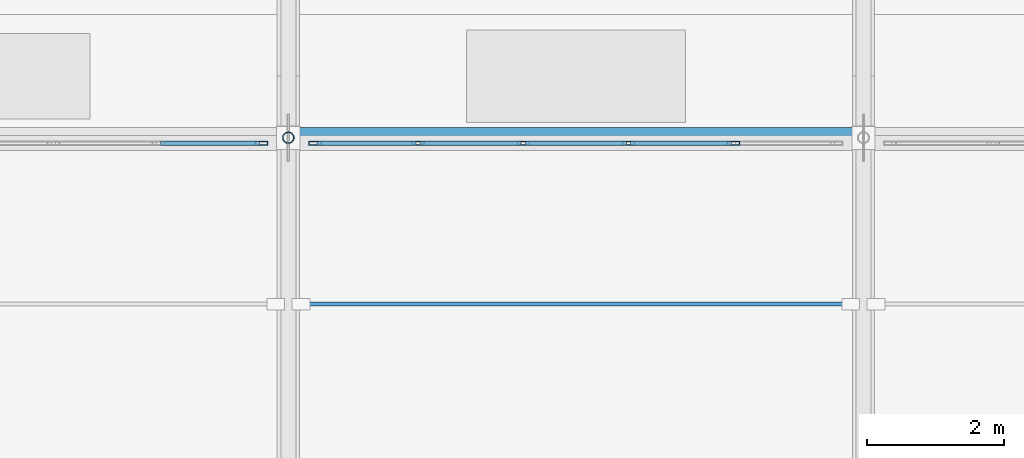
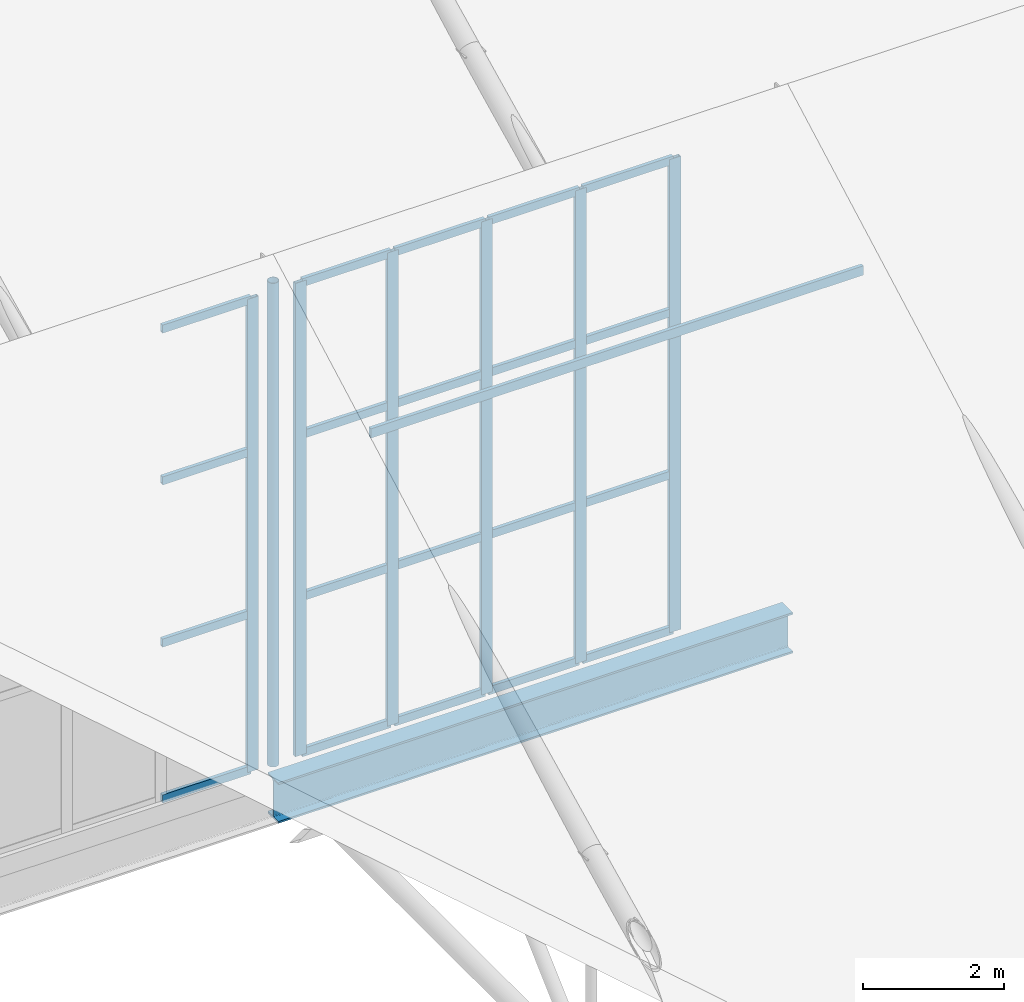
# One storey, part 8 of 38: 28 members, 1 beam, 2 elements without a shape of their own.
"""IFC4 building model written with IfcOpenShell, lengths in metres."""

from ifc_helpers import new_model, si_unit, direction, frame, origin, origin_2d, place, context, subcontext, project, spatial, hollow_rectangle, hollow_circle, i_section, extrude, material, material_profile, profile_set, type_object, element, aggregate, save


model = new_model("IFC4")

# Units and contexts
model_context = context("Model", 3, precision=1e-05, world=origin(), true_north=direction((0.0, 1.0)))
body_context = subcontext(model_context, "Body", "Model", "MODEL_VIEW")
ifc_project = project(units=[si_unit("LENGTHUNIT", "METRE"), si_unit("AREAUNIT", "SQUARE_METRE"), si_unit("VOLUMEUNIT", "CUBIC_METRE"), si_unit("PLANEANGLEUNIT", "RADIAN"), si_unit("MASSUNIT", "GRAM", prefix="KILO")], contexts=[model_context])

# Site, building, storey
site_placement = place(None, origin())
site = spatial("IfcSite", under=ifc_project, at=site_placement, CompositionType="ELEMENT")
building_placement = place(site_placement, origin())
building = spatial("IfcBuilding", under=site, at=building_placement, Name="Veltarok Museum of Natural Sciences", CompositionType="ELEMENT")
storey_placement = place(building_placement, frame((0.0, 0.0, 31.199951171875)))
storey = spatial("IfcBuildingStorey", under=building, at=storey_placement, Name="RF", CompositionType="ELEMENT", Elevation=31.199951171875)

# Beam
ifc_material_1 = material(Name="Steel S355J2", Category="steel")
ifc_material_profile_1 = material_profile(ifc_material_1, i_section(OverallWidth=0.300048828125, OverallDepth=0.699951171875, WebThickness=0.01708984375, FlangeThickness=0.031982421875, FilletRadius=0.027099609375, at=origin_2d()), Name="HEB 700")
ifc_profile_set_1 = profile_set([ifc_material_profile_1], Name="Steel S355J2")
beam_type = type_object("IfcBeamType", Name="Long-Span Hall Girder HEB 700", PredefinedType="BEAM", material=ifc_profile_set_1)
beam_placement = place(storey_placement, frame((56.800048828125, 54.0, -6.389892578125), z_axis=(1.0, 0.0, 0.0), x_axis=(0.0, 1.0, 0.0)))
element("IfcBeam", 1, at=beam_placement, inside=storey, type_object=beam_type, Name="Sawtooth Valley Girder 7-8 Y=54.0", PredefinedType="BEAM", context=body_context, shape_type="SweptSolid", body=[
    extrude(i_section(OverallWidth=0.300048828125, OverallDepth=0.699951171875, WebThickness=0.01708984375, FlangeThickness=0.031982421875, FilletRadius=0.027099609375, at=origin_2d()), origin(), (0.0, 0.0, 1.0), 8.39990234375),
])

# Curtain wall, member
ifc_material_2 = material(Name="Low-iron triple insulated glass", Category="glass")
curtain_wall_type = type_object("IfcCurtainWallType", Name="Curtain Wall System CW-SAW-M1-768x817 (Sawtooth North Clerestory M1 768x817cm)", PredefinedType="NOTDEFINED", material=ifc_material_2)
curtain_wall_1_placement = place(storey_placement, origin())
curtain_wall_1 = element("IfcCurtainWall", 2, at=curtain_wall_1_placement, inside=storey, type_object=curtain_wall_type, Name="Curtain Wall CW-SAW-M1-768x817 CW-SAW-0074", PredefinedType="NOTDEFINED")
ifc_material_3 = material(Name="Thermally broken anodised aluminium", Category="aluminium")
ifc_material_profile_2 = material_profile(ifc_material_3, hollow_rectangle(XDim=0.06005859375, YDim=0.179931640625, WallThickness=0.006103515625, at=origin_2d()), Name="CW MULLION 60x180x6")
ifc_profile_set_2 = profile_set([ifc_material_profile_2], Name="Thermally broken anodised aluminium")
member_type_1 = type_object("IfcMemberType", Name="Sawtooth Clerestory Mullion 60x180x6", PredefinedType="MULLION", material=ifc_profile_set_2)
member_1_placement = place(storey_placement, frame((56.409912109375, 53.919921875, -5.719970703125), z_axis=(0.0, 0.0, 1.0), x_axis=(0.0, -1.0, 0.0)))
member_1 = element("IfcMember", 3, at=member_1_placement, type_object=member_type_1, Name="CW-SAW-M1-768x817 mullion 1", PredefinedType="MULLION", context=body_context, shape_type="SweptSolid", body=[
    extrude(hollow_rectangle(XDim=0.06005859375, YDim=0.179931640625, WallThickness=0.006103515625, at=origin_2d()), origin(), (0.0, 0.0, 1.0), 8.169921875),
])

# Curtain wall, members
curtain_wall_2_placement = place(storey_placement, origin())
curtain_wall_2 = element("IfcCurtainWall", 4, at=curtain_wall_2_placement, inside=storey, type_object=curtain_wall_type, Name="Curtain Wall CW-SAW-M1-768x817 CW-SAW-0076", PredefinedType="NOTDEFINED")
member_2_placement = place(storey_placement, frame((63.303955078125, 53.919921875, -5.719970703125), z_axis=(0.0, 0.0, 1.0), x_axis=(0.0, -1.0, 0.0)))
member_2 = element("IfcMember", 5, at=member_2_placement, type_object=member_type_1, Name="CW-SAW-M1-768x817 mullion 2", PredefinedType="MULLION", context=body_context, shape_type="SweptSolid", body=[
    extrude(hollow_rectangle(XDim=0.06005859375, YDim=0.179931640625, WallThickness=0.006103515625, at=origin_2d()), origin(), (0.0, 0.0, 1.0), 8.169921875),
])
member_3_placement = place(storey_placement, frame((61.76806640625, 53.919921875, -5.719970703125), z_axis=(0.0, 0.0, 1.0), x_axis=(0.0, -1.0, 0.0)))
member_3 = element("IfcMember", 6, at=member_3_placement, type_object=member_type_1, Name="CW-SAW-M1-768x817 mullion 3", PredefinedType="MULLION", context=body_context, shape_type="SweptSolid", body=[
    extrude(hollow_rectangle(XDim=0.06005859375, YDim=0.179931640625, WallThickness=0.006103515625, at=origin_2d()), origin(), (0.0, 0.0, 1.0), 8.169921875),
])
member_4_placement = place(storey_placement, frame((60.23193359375, 53.919921875, -5.719970703125), z_axis=(0.0, 0.0, 1.0), x_axis=(0.0, -1.0, 0.0)))
member_4 = element("IfcMember", 7, at=member_4_placement, type_object=member_type_1, Name="CW-SAW-M1-768x817 mullion 4", PredefinedType="MULLION", context=body_context, shape_type="SweptSolid", body=[
    extrude(hollow_rectangle(XDim=0.06005859375, YDim=0.179931640625, WallThickness=0.006103515625, at=origin_2d()), origin(), (0.0, 0.0, 1.0), 8.169921875),
])
member_5_placement = place(storey_placement, frame((58.696044921875, 53.919921875, -5.719970703125), z_axis=(0.0, 0.0, 1.0), x_axis=(0.0, -1.0, 0.0)))
member_5 = element("IfcMember", 8, at=member_5_placement, type_object=member_type_1, Name="CW-SAW-M1-768x817 mullion 5", PredefinedType="MULLION", context=body_context, shape_type="SweptSolid", body=[
    extrude(hollow_rectangle(XDim=0.06005859375, YDim=0.179931640625, WallThickness=0.006103515625, at=origin_2d()), origin(), (0.0, 0.0, 1.0), 8.169921875),
])
member_6_placement = place(storey_placement, frame((57.18994140625, 53.919921875, -5.719970703125), z_axis=(0.0, 0.0, 1.0), x_axis=(0.0, -1.0, 0.0)))
member_6 = element("IfcMember", 9, at=member_6_placement, type_object=member_type_1, Name="CW-SAW-M1-768x817 mullion 6", PredefinedType="MULLION", context=body_context, shape_type="SweptSolid", body=[
    extrude(hollow_rectangle(XDim=0.06005859375, YDim=0.179931640625, WallThickness=0.006103515625, at=origin_2d()), origin(), (0.0, 0.0, 1.0), 8.169921875),
])

# Member
ifc_material_profile_3 = material_profile(ifc_material_3, hollow_rectangle(XDim=0.06005859375, YDim=0.139892578125, WallThickness=0.0048828125, at=origin_2d()), Name="CW TRANSOM 60x140x5")
ifc_profile_set_3 = profile_set([ifc_material_profile_3], Name="Thermally broken anodised aluminium")
member_type_2 = type_object("IfcMemberType", Name="Sawtooth Clerestory Transom 60x140x5", PredefinedType="USERDEFINED", material=ifc_profile_set_3)
member_7_placement = place(storey_placement, frame((56.3798828125, 53.919921875, -5.68994140625), z_axis=(-1.0, 0.0, 0.0), x_axis=(0.0, -1.0, 0.0)))
member_7 = element("IfcMember", 10, at=member_7_placement, type_object=member_type_2, Name="CW-SAW-M1-768x817 transom 1.1", ObjectType="TRANSOM", PredefinedType="USERDEFINED", context=body_context, shape_type="SweptSolid", body=[
    extrude(hollow_rectangle(XDim=0.06005859375, YDim=0.139892578125, WallThickness=0.0048828125, at=origin_2d()), origin(), (0.0, 0.0, 1.0), 1.44580078125),
])

member_8_placement = place(storey_placement, frame((56.3798828125, 53.919921875, -3.0), z_axis=(-1.0, 0.0, 0.0), x_axis=(0.0, -1.0, 0.0)))
member_8 = element("IfcMember", 11, at=member_8_placement, type_object=member_type_2, Name="CW-SAW-M1-768x817 transom 1.2", ObjectType="TRANSOM", PredefinedType="USERDEFINED", context=body_context, shape_type="SweptSolid", body=[
    extrude(hollow_rectangle(XDim=0.06005859375, YDim=0.139892578125, WallThickness=0.0048828125, at=origin_2d()), origin(), (0.0, 0.0, 1.0), 1.44580078125),
])

member_9_placement = place(storey_placement, frame((56.3798828125, 53.919921875, -0.199951171875), z_axis=(-1.0, 0.0, 0.0), x_axis=(0.0, -1.0, 0.0)))
member_9 = element("IfcMember", 12, at=member_9_placement, type_object=member_type_2, Name="CW-SAW-M1-768x817 transom 1.3", ObjectType="TRANSOM", PredefinedType="USERDEFINED", context=body_context, shape_type="SweptSolid", body=[
    extrude(hollow_rectangle(XDim=0.06005859375, YDim=0.139892578125, WallThickness=0.0048828125, at=origin_2d()), origin(), (0.0, 0.0, 1.0), 1.44580078125),
])

member_10_placement = place(storey_placement, frame((56.3798828125, 53.919921875, 2.420166015625), z_axis=(-1.0, 0.0, 0.0), x_axis=(0.0, -1.0, 0.0)))
member_10 = element("IfcMember", 13, at=member_10_placement, type_object=member_type_2, Name="CW-SAW-M1-768x817 transom 1.4", ObjectType="TRANSOM", PredefinedType="USERDEFINED", context=body_context, shape_type="SweptSolid", body=[
    extrude(hollow_rectangle(XDim=0.06005859375, YDim=0.139892578125, WallThickness=0.0048828125, at=origin_2d()), origin(), (0.0, 0.0, 1.0), 1.44580078125),
])

aggregate(curtain_wall_1, [member_1, member_7, member_8, member_9, member_10])

member_11_placement = place(storey_placement, frame((63.27392578125, 53.919921875, -5.68994140625), z_axis=(-1.0, 0.0, 0.0), x_axis=(0.0, -1.0, 0.0)))
member_11 = element("IfcMember", 14, at=member_11_placement, type_object=member_type_2, Name="CW-SAW-M1-768x817 transom 2.1", ObjectType="TRANSOM", PredefinedType="USERDEFINED", context=body_context, shape_type="SweptSolid", body=[
    extrude(hollow_rectangle(XDim=0.06005859375, YDim=0.139892578125, WallThickness=0.0048828125, at=origin_2d()), origin(), (0.0, 0.0, 1.0), 1.475830078125),
])

member_12_placement = place(storey_placement, frame((63.27392578125, 53.919921875, -3.0), z_axis=(-1.0, 0.0, 0.0), x_axis=(0.0, -1.0, 0.0)))
member_12 = element("IfcMember", 15, at=member_12_placement, type_object=member_type_2, Name="CW-SAW-M1-768x817 transom 2.2", ObjectType="TRANSOM", PredefinedType="USERDEFINED", context=body_context, shape_type="SweptSolid", body=[
    extrude(hollow_rectangle(XDim=0.06005859375, YDim=0.139892578125, WallThickness=0.0048828125, at=origin_2d()), origin(), (0.0, 0.0, 1.0), 1.475830078125),
])

member_13_placement = place(storey_placement, frame((63.27392578125, 53.919921875, -0.199951171875), z_axis=(-1.0, 0.0, 0.0), x_axis=(0.0, -1.0, 0.0)))
member_13 = element("IfcMember", 16, at=member_13_placement, type_object=member_type_2, Name="CW-SAW-M1-768x817 transom 2.3", ObjectType="TRANSOM", PredefinedType="USERDEFINED", context=body_context, shape_type="SweptSolid", body=[
    extrude(hollow_rectangle(XDim=0.06005859375, YDim=0.139892578125, WallThickness=0.0048828125, at=origin_2d()), origin(), (0.0, 0.0, 1.0), 1.475830078125),
])

member_14_placement = place(storey_placement, frame((63.27392578125, 53.919921875, 2.420166015625), z_axis=(-1.0, 0.0, 0.0), x_axis=(0.0, -1.0, 0.0)))
member_14 = element("IfcMember", 17, at=member_14_placement, type_object=member_type_2, Name="CW-SAW-M1-768x817 transom 2.4", ObjectType="TRANSOM", PredefinedType="USERDEFINED", context=body_context, shape_type="SweptSolid", body=[
    extrude(hollow_rectangle(XDim=0.06005859375, YDim=0.139892578125, WallThickness=0.0048828125, at=origin_2d()), origin(), (0.0, 0.0, 1.0), 1.475830078125),
])

member_15_placement = place(storey_placement, frame((61.738037109375, 53.919921875, -5.68994140625), z_axis=(-1.0, 0.0, 0.0), x_axis=(0.0, -1.0, 0.0)))
member_15 = element("IfcMember", 18, at=member_15_placement, type_object=member_type_2, Name="CW-SAW-M1-768x817 transom 3.1", ObjectType="TRANSOM", PredefinedType="USERDEFINED", context=body_context, shape_type="SweptSolid", body=[
    extrude(hollow_rectangle(XDim=0.06005859375, YDim=0.139892578125, WallThickness=0.0048828125, at=origin_2d()), origin(), (0.0, 0.0, 1.0), 1.47607421875),
])

member_16_placement = place(storey_placement, frame((61.738037109375, 53.919921875, -3.0), z_axis=(-1.0, 0.0, 0.0), x_axis=(0.0, -1.0, 0.0)))
member_16 = element("IfcMember", 19, at=member_16_placement, type_object=member_type_2, Name="CW-SAW-M1-768x817 transom 3.2", ObjectType="TRANSOM", PredefinedType="USERDEFINED", context=body_context, shape_type="SweptSolid", body=[
    extrude(hollow_rectangle(XDim=0.06005859375, YDim=0.139892578125, WallThickness=0.0048828125, at=origin_2d()), origin(), (0.0, 0.0, 1.0), 1.47607421875),
])

member_17_placement = place(storey_placement, frame((61.738037109375, 53.919921875, -0.199951171875), z_axis=(-1.0, 0.0, 0.0), x_axis=(0.0, -1.0, 0.0)))
member_17 = element("IfcMember", 20, at=member_17_placement, type_object=member_type_2, Name="CW-SAW-M1-768x817 transom 3.3", ObjectType="TRANSOM", PredefinedType="USERDEFINED", context=body_context, shape_type="SweptSolid", body=[
    extrude(hollow_rectangle(XDim=0.06005859375, YDim=0.139892578125, WallThickness=0.0048828125, at=origin_2d()), origin(), (0.0, 0.0, 1.0), 1.47607421875),
])

member_18_placement = place(storey_placement, frame((61.738037109375, 53.919921875, 2.420166015625), z_axis=(-1.0, 0.0, 0.0), x_axis=(0.0, -1.0, 0.0)))
member_18 = element("IfcMember", 21, at=member_18_placement, type_object=member_type_2, Name="CW-SAW-M1-768x817 transom 3.4", ObjectType="TRANSOM", PredefinedType="USERDEFINED", context=body_context, shape_type="SweptSolid", body=[
    extrude(hollow_rectangle(XDim=0.06005859375, YDim=0.139892578125, WallThickness=0.0048828125, at=origin_2d()), origin(), (0.0, 0.0, 1.0), 1.47607421875),
])

member_19_placement = place(storey_placement, frame((60.201904296875, 53.919921875, -5.68994140625), z_axis=(-1.0, 0.0, 0.0), x_axis=(0.0, -1.0, 0.0)))
member_19 = element("IfcMember", 22, at=member_19_placement, type_object=member_type_2, Name="CW-SAW-M1-768x817 transom 4.1", ObjectType="TRANSOM", PredefinedType="USERDEFINED", context=body_context, shape_type="SweptSolid", body=[
    extrude(hollow_rectangle(XDim=0.06005859375, YDim=0.139892578125, WallThickness=0.0048828125, at=origin_2d()), origin(), (0.0, 0.0, 1.0), 1.475830078125),
])

member_20_placement = place(storey_placement, frame((60.201904296875, 53.919921875, -3.0), z_axis=(-1.0, 0.0, 0.0), x_axis=(0.0, -1.0, 0.0)))
member_20 = element("IfcMember", 23, at=member_20_placement, type_object=member_type_2, Name="CW-SAW-M1-768x817 transom 4.2", ObjectType="TRANSOM", PredefinedType="USERDEFINED", context=body_context, shape_type="SweptSolid", body=[
    extrude(hollow_rectangle(XDim=0.06005859375, YDim=0.139892578125, WallThickness=0.0048828125, at=origin_2d()), origin(), (0.0, 0.0, 1.0), 1.475830078125),
])

member_21_placement = place(storey_placement, frame((60.201904296875, 53.919921875, -0.199951171875), z_axis=(-1.0, 0.0, 0.0), x_axis=(0.0, -1.0, 0.0)))
member_21 = element("IfcMember", 24, at=member_21_placement, type_object=member_type_2, Name="CW-SAW-M1-768x817 transom 4.3", ObjectType="TRANSOM", PredefinedType="USERDEFINED", context=body_context, shape_type="SweptSolid", body=[
    extrude(hollow_rectangle(XDim=0.06005859375, YDim=0.139892578125, WallThickness=0.0048828125, at=origin_2d()), origin(), (0.0, 0.0, 1.0), 1.475830078125),
])

member_22_placement = place(storey_placement, frame((60.201904296875, 53.919921875, 2.420166015625), z_axis=(-1.0, 0.0, 0.0), x_axis=(0.0, -1.0, 0.0)))
member_22 = element("IfcMember", 25, at=member_22_placement, type_object=member_type_2, Name="CW-SAW-M1-768x817 transom 4.4", ObjectType="TRANSOM", PredefinedType="USERDEFINED", context=body_context, shape_type="SweptSolid", body=[
    extrude(hollow_rectangle(XDim=0.06005859375, YDim=0.139892578125, WallThickness=0.0048828125, at=origin_2d()), origin(), (0.0, 0.0, 1.0), 1.475830078125),
])

member_23_placement = place(storey_placement, frame((58.666015625, 53.919921875, -5.68994140625), z_axis=(-1.0, 0.0, 0.0), x_axis=(0.0, -1.0, 0.0)))
member_23 = element("IfcMember", 26, at=member_23_placement, type_object=member_type_2, Name="CW-SAW-M1-768x817 transom 5.1", ObjectType="TRANSOM", PredefinedType="USERDEFINED", context=body_context, shape_type="SweptSolid", body=[
    extrude(hollow_rectangle(XDim=0.06005859375, YDim=0.139892578125, WallThickness=0.0048828125, at=origin_2d()), origin(), (0.0, 0.0, 1.0), 1.446044921875),
])

member_24_placement = place(storey_placement, frame((58.666015625, 53.919921875, -3.0), z_axis=(-1.0, 0.0, 0.0), x_axis=(0.0, -1.0, 0.0)))
member_24 = element("IfcMember", 27, at=member_24_placement, type_object=member_type_2, Name="CW-SAW-M1-768x817 transom 5.2", ObjectType="TRANSOM", PredefinedType="USERDEFINED", context=body_context, shape_type="SweptSolid", body=[
    extrude(hollow_rectangle(XDim=0.06005859375, YDim=0.139892578125, WallThickness=0.0048828125, at=origin_2d()), origin(), (0.0, 0.0, 1.0), 1.446044921875),
])

member_25_placement = place(storey_placement, frame((58.666015625, 53.919921875, -0.199951171875), z_axis=(-1.0, 0.0, 0.0), x_axis=(0.0, -1.0, 0.0)))
member_25 = element("IfcMember", 28, at=member_25_placement, type_object=member_type_2, Name="CW-SAW-M1-768x817 transom 5.3", ObjectType="TRANSOM", PredefinedType="USERDEFINED", context=body_context, shape_type="SweptSolid", body=[
    extrude(hollow_rectangle(XDim=0.06005859375, YDim=0.139892578125, WallThickness=0.0048828125, at=origin_2d()), origin(), (0.0, 0.0, 1.0), 1.446044921875),
])

member_26_placement = place(storey_placement, frame((58.666015625, 53.919921875, 2.420166015625), z_axis=(-1.0, 0.0, 0.0), x_axis=(0.0, -1.0, 0.0)))
member_26 = element("IfcMember", 29, at=member_26_placement, type_object=member_type_2, Name="CW-SAW-M1-768x817 transom 5.4", ObjectType="TRANSOM", PredefinedType="USERDEFINED", context=body_context, shape_type="SweptSolid", body=[
    extrude(hollow_rectangle(XDim=0.06005859375, YDim=0.139892578125, WallThickness=0.0048828125, at=origin_2d()), origin(), (0.0, 0.0, 1.0), 1.446044921875),
])

aggregate(curtain_wall_2, [member_2, member_3, member_4, member_5, member_6, member_11, member_12, member_13, member_14, member_15, member_16, member_17, member_18, member_19, member_20, member_21, member_22, member_23, member_24, member_25, member_26])

# Members
ifc_material_profile_4 = material_profile(ifc_material_1, hollow_rectangle(XDim=0.06005859375, YDim=0.159912109375, WallThickness=0.0048828125, at=origin_2d()), Name="RHS 160x60x5")
ifc_profile_set_4 = profile_set([ifc_material_profile_4], Name="Steel S355J2")
member_type_3 = type_object("IfcMemberType", Name="Sawtooth Roof Purlin RHS 160x60x5", PredefinedType="PURLIN", material=ifc_profile_set_4)
member_27_placement = place(storey_placement, frame((56.97998046875, 51.570068359375, 1.32958984375), z_axis=(1.0, 0.0, 0.0), x_axis=(0.0, 1.0, 0.0)))
element("IfcMember", 30, at=member_27_placement, inside=storey, type_object=member_type_3, Name="Sawtooth Purlin 7-8 M1", PredefinedType="PURLIN", context=body_context, shape_type="SweptSolid", body=[
    extrude(hollow_rectangle(XDim=0.06005859375, YDim=0.159912109375, WallThickness=0.0048828125, at=origin_2d()), origin(), (0.0, 0.0, 1.0), 8.0400390625),
])
ifc_material_4 = material(Name="Oxide-red painted Steel S355J2", Category="steel")
ifc_material_profile_5 = material_profile(ifc_material_4, hollow_circle(Radius=0.084228515625, WallThickness=0.008056640625, at=origin_2d()), Name="CHS 168.3x8")
ifc_profile_set_5 = profile_set([ifc_material_profile_5], Name="Oxide-red painted Steel S355J2")
member_type_4 = type_object("IfcMemberType", Name="Sawtooth Truss Vertical Strut CHS 168.3x8", PredefinedType="STRUT", material=ifc_profile_set_5)
member_28_placement = place(storey_placement, frame((56.800048828125, 54.0, -5.800048828125), z_axis=(0.0, 0.0, 1.0), x_axis=(1.0, 0.0, 0.0)))
element("IfcMember", 31, at=member_28_placement, inside=storey, type_object=member_type_4, Name="Roof Truss Strut 7 M1", PredefinedType="STRUT", context=body_context, shape_type="SweptSolid", body=[
    extrude(hollow_circle(Radius=0.084228515625, WallThickness=0.008056640625, at=origin_2d()), origin(), (0.0, 0.0, 1.0), 8.35009765625),
])

save(model, "model.ifc")
